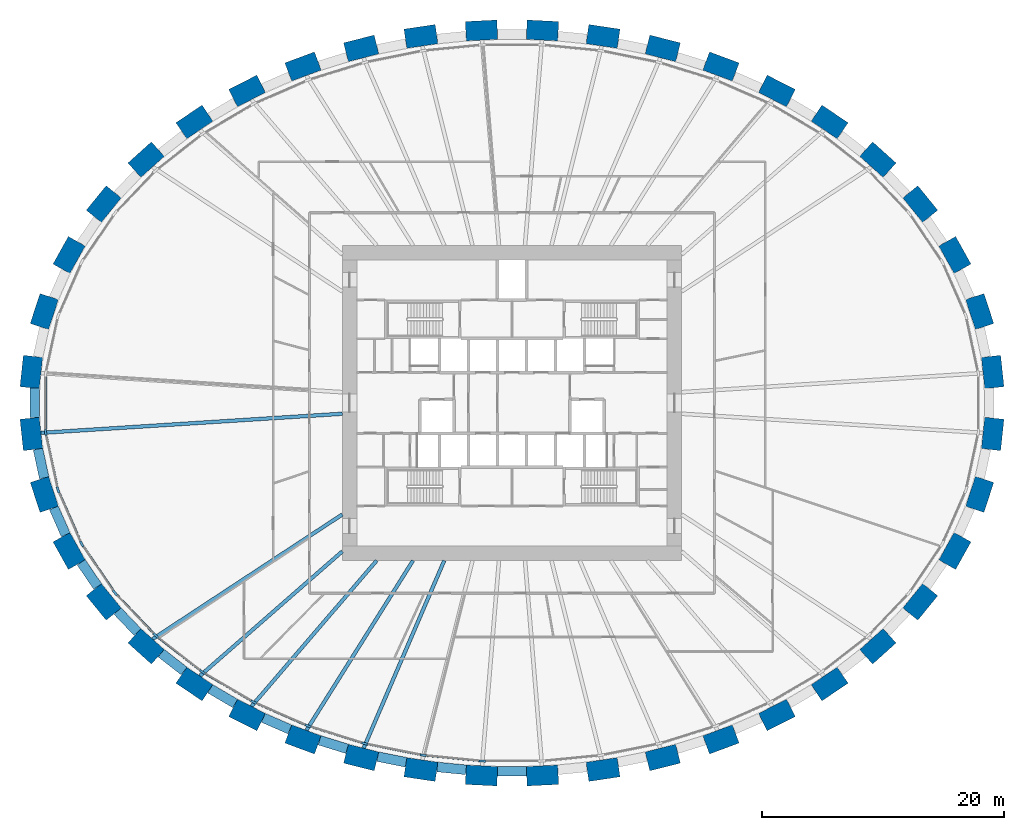
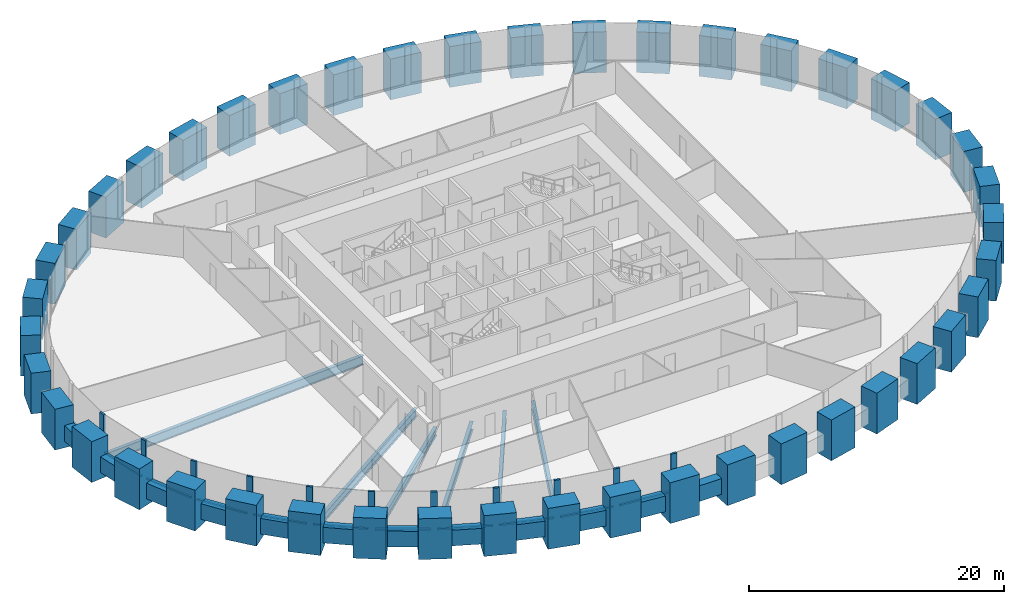
# One storey, part 1 of 11: 44 columns, 22 members, 18 beams, 1 element without a shape of its own.
"""IFC4 building model written with IfcOpenShell, lengths in metres."""

from ifc_helpers import new_model, si_unit, direction, frame, origin, origin_2d, place, context, subcontext, project, spatial, rectangle, i_section, extrude, source, transform, mapped, material, material_profile, profile_set, type_object, element, aggregate, save


model = new_model("IFC4")

# Units and contexts
model_context = context("Model", 3, precision=1e-05, world=origin(), true_north=direction((0.0, 1.0)))
body_context = subcontext(model_context, "Body", "Model", "MODEL_VIEW")
ifc_project = project(units=[si_unit("LENGTHUNIT", "METRE"), si_unit("AREAUNIT", "SQUARE_METRE"), si_unit("VOLUMEUNIT", "CUBIC_METRE"), si_unit("PLANEANGLEUNIT", "RADIAN"), si_unit("MASSUNIT", "GRAM", prefix="KILO")], contexts=[model_context])

# Site, building, storey
site_placement = place(None, origin())
site = spatial("IfcSite", under=ifc_project, at=site_placement, CompositionType="ELEMENT")
building_placement = place(site_placement, origin())
building = spatial("IfcBuilding", under=site, at=building_placement, Name="Embergate Tower", CompositionType="ELEMENT")
storey_placement = place(building_placement, frame((0.0, 0.0, 41.89990234375)))
storey = spatial("IfcBuildingStorey", under=building, at=storey_placement, Name="L06", CompositionType="ELEMENT", Elevation=41.89990234375)

# Columns
ifc_material_1 = material(Name="Concrete C70", Category="concrete")
ifc_material_profile_1 = material_profile(ifc_material_1, rectangle(XDim=1.60009765625, YDim=2.60009765625, at=origin_2d()), Name="RC 1600x2600")
ifc_profile_set_1 = profile_set([ifc_material_profile_1], Name="Concrete C70")
column_type = type_object("IfcColumnType", Name="Ring column RC 1600x2600 C70", PredefinedType="COLUMN", material=ifc_profile_set_1)
shared_shape_1 = source(origin(), body_context, "Body", "SweptSolid", [
    extrude(rectangle(XDim=1.60009765625, YDim=2.60009765625, at=origin_2d()), origin(), (0.0, 0.0, 1.0), 3.89990234375),
])
for number, where, z_axis, x_axis, name in (
    (1, (39.653076171875, 2.553955078125, -1.39990234375), (0.0, 0.0, 1.0), (0.99428589498, 0.106749983816, 0.0), "COL-L06-00"),
    (2, (38.580078125, 7.54296875, -1.39990234375), (0.0, 0.0, 1.0), (0.950754033697, 0.309946394413, 0.0), "COL-L06-01"),
    (3, (36.533935546875, 12.20703125, -1.39990234375), (0.0, 0.0, 1.0), (0.873491969053, 0.486838556403, 0.0), "COL-L06-02"),
    (4, (33.677978515625, 16.407958984375, -1.39990234375), (0.0, 0.0, 1.0), (0.775914301615, 0.630838328377, 0.0), "COL-L06-03"),
    (5, (30.18310546875, 20.072998046875, -1.39990234375), (0.0, 0.0, 1.0), (0.669208424634, 0.74307475021, 0.0), "COL-L06-04"),
    (6, (26.199951171875, 23.181884765625, -1.39990234375), (0.0, 0.0, 1.0), (0.560393279442, 0.828226643109, 0.0), "COL-L06-05"),
    (7, (21.85302734375, 25.738037109375, -1.39990234375), (0.0, 0.0, 1.0), (0.452994952881, 0.891513080478, 0.0), "COL-L06-06"),
    (8, (17.239013671875, 27.756103515625, -1.39990234375), (0.0, 0.0, 1.0), (0.348343015724, 0.93736713373, 0.0), "COL-L06-07"),
    (9, (12.43798828125, 29.2509765625, -1.39990234375), (0.0, 0.0, 1.0), (0.246491603437, 0.969144926951, 0.0), "COL-L06-08"),
    (10, (7.510009765625, 30.239013671875, -1.39990234375), (0.0, 0.0, 1.0), (0.146929011949, 0.989147039346, 0.0), "COL-L06-09"),
    (11, (2.510986328125, 30.73095703125, -1.39990234375), (0.0, 0.0, 1.0), (0.048814904854, 0.998807841912, 0.0), "COL-L06-10"),
    (12, (-2.510986328125, 30.73095703125, -1.39990234375), (0.0, 0.0, 1.0), (-0.048814904854, 0.998807841912, 0.0), "COL-L06-11"),
    (13, (-7.510009765625, 30.239013671875, -1.39990234375), (0.0, 0.0, 1.0), (-0.146929011949, 0.989147039346, 0.0), "COL-L06-12"),
    (14, (-12.43798828125, 29.2509765625, -1.39990234375), (0.0, 0.0, 1.0), (-0.246491603437, 0.969144926951, 0.0), "COL-L06-13"),
    (15, (-17.239013671875, 27.756103515625, -1.39990234375), (0.0, 0.0, 1.0), (-0.348343015724, 0.93736713373, 0.0), "COL-L06-14"),
    (16, (-21.85302734375, 25.738037109375, -1.39990234375), (0.0, 0.0, 1.0), (-0.452994952881, 0.891513080478, 0.0), "COL-L06-15"),
    (17, (-26.199951171875, 23.181884765625, -1.39990234375), (0.0, 0.0, 1.0), (-0.560393279442, 0.828226643109, 0.0), "COL-L06-16"),
    (18, (-30.18310546875, 20.072998046875, -1.39990234375), (0.0, 0.0, 1.0), (-0.669208424634, 0.74307475021, 0.0), "COL-L06-17"),
    (19, (-33.677978515625, 16.407958984375, -1.39990234375), (0.0, 0.0, 1.0), (-0.775914301615, 0.630838328377, 0.0), "COL-L06-18"),
    (20, (-36.533935546875, 12.20703125, -1.39990234375), (0.0, 0.0, 1.0), (-0.873491969053, 0.486838556403, 0.0), "COL-L06-19"),
    (21, (-38.580078125, 7.54296875, -1.39990234375), (0.0, 0.0, 1.0), (-0.950754033697, 0.309946394413, 0.0), "COL-L06-20"),
    (22, (-39.653076171875, 2.553955078125, -1.39990234375), (0.0, 0.0, 1.0), (-0.99428589498, 0.106749983816, 0.0), "COL-L06-21"),
    (23, (-39.653076171875, -2.553955078125, -1.39990234375), (0.0, 0.0, 1.0), (-0.99428589498, -0.106749983816, 0.0), "COL-L06-22"),
    (24, (-38.580078125, -7.54296875, -1.39990234375), (0.0, 0.0, 1.0), (-0.950754033697, -0.309946394413, 0.0), "COL-L06-23"),
    (25, (-36.533935546875, -12.20703125, -1.39990234375), (0.0, 0.0, 1.0), (-0.873491969053, -0.486838556403, 0.0), "COL-L06-24"),
    (26, (-33.677978515625, -16.407958984375, -1.39990234375), (0.0, 0.0, 1.0), (-0.775914301615, -0.630838328377, 0.0), "COL-L06-25"),
    (27, (-30.18310546875, -20.072998046875, -1.39990234375), (0.0, 0.0, 1.0), (-0.669208424634, -0.74307475021, 0.0), "COL-L06-26"),
    (28, (-26.199951171875, -23.181884765625, -1.39990234375), (0.0, 0.0, 1.0), (-0.560393279442, -0.828226643109, 0.0), "COL-L06-27"),
    (29, (-21.85302734375, -25.738037109375, -1.39990234375), (0.0, 0.0, 1.0), (-0.452994952881, -0.891513080478, 0.0), "COL-L06-28"),
    (30, (-17.239013671875, -27.756103515625, -1.39990234375), (0.0, 0.0, 1.0), (-0.348343015724, -0.93736713373, 0.0), "COL-L06-29"),
    (31, (-12.43798828125, -29.2509765625, -1.39990234375), (0.0, 0.0, 1.0), (-0.246491603437, -0.969144926951, 0.0), "COL-L06-30"),
    (32, (-7.510009765625, -30.239013671875, -1.39990234375), (0.0, 0.0, 1.0), (-0.146929011949, -0.989147039346, 0.0), "COL-L06-31"),
    (33, (-2.510986328125, -30.73095703125, -1.39990234375), (0.0, 0.0, 1.0), (-0.048814904854, -0.998807841912, 0.0), "COL-L06-32"),
    (34, (2.510986328125, -30.73095703125, -1.39990234375), (0.0, 0.0, 1.0), (0.048814904854, -0.998807841912, 0.0), "COL-L06-33"),
    (35, (7.510009765625, -30.239013671875, -1.39990234375), (0.0, 0.0, 1.0), (0.146929011949, -0.989147039346, 0.0), "COL-L06-34"),
    (36, (12.43798828125, -29.2509765625, -1.39990234375), (0.0, 0.0, 1.0), (0.246491603437, -0.969144926951, 0.0), "COL-L06-35"),
    (37, (17.239013671875, -27.756103515625, -1.39990234375), (0.0, 0.0, 1.0), (0.348343015724, -0.93736713373, 0.0), "COL-L06-36"),
    (38, (21.85302734375, -25.738037109375, -1.39990234375), (0.0, 0.0, 1.0), (0.452994952881, -0.891513080478, 0.0), "COL-L06-37"),
    (39, (26.199951171875, -23.181884765625, -1.39990234375), (0.0, 0.0, 1.0), (0.560393279442, -0.828226643109, 0.0), "COL-L06-38"),
    (40, (30.18310546875, -20.072998046875, -1.39990234375), (0.0, 0.0, 1.0), (0.669208424634, -0.74307475021, 0.0), "COL-L06-39"),
    (41, (33.677978515625, -16.407958984375, -1.39990234375), (0.0, 0.0, 1.0), (0.775914301615, -0.630838328377, 0.0), "COL-L06-40"),
    (42, (36.533935546875, -12.20703125, -1.39990234375), (0.0, 0.0, 1.0), (0.873491969053, -0.486838556403, 0.0), "COL-L06-41"),
    (43, (38.580078125, -7.54296875, -1.39990234375), (0.0, 0.0, 1.0), (0.950754033697, -0.309946394413, 0.0), "COL-L06-42"),
    (44, (39.653076171875, -2.553955078125, -1.39990234375), (0.0, 0.0, 1.0), (0.99428589498, -0.106749983816, 0.0), "COL-L06-43"),
):
    element("IfcColumn", number, at=place(storey_placement, frame(where, z_axis=z_axis, x_axis=x_axis)), inside=storey, type_object=column_type, Name=name, PredefinedType="COLUMN", context=body_context, shape_type="MappedRepresentation", body=[
        mapped(shared_shape_1, transform((0.0, 0.0, 0.0))),
    ])

# Beams
ifc_material_profile_2 = material_profile(ifc_material_1, rectangle(XDim=0.800048828125, YDim=1.5, at=origin_2d()), Name="RC 800x1500")
ifc_profile_set_2 = profile_set([ifc_material_profile_2], Name="Concrete C70")
beam_type_1 = type_object("IfcBeamType", Name="Spandrel beam RC 800x1500 C70", PredefinedType="BEAM", material=ifc_profile_set_2)
shared_shape_2 = source(origin(), body_context, "Body", "SweptSolid", [
    extrude(rectangle(XDim=0.800048828125, YDim=1.5, at=origin_2d()), origin(), (0.0, 0.0, 1.0), 2.431396484375),
])
beam_1_placement = place(storey_placement, frame((-39.10302734375, -3.802001953125, 0.0), z_axis=(0.210557552213, -0.977581463207, 0.0), x_axis=(0.977581463207, 0.210557552213, 0.0)))
element("IfcBeam", 45, at=beam_1_placement, inside=storey, type_object=beam_type_1, Name="SPN-L06-22", PredefinedType="BEAM", context=body_context, shape_type="MappedRepresentation", body=[
    mapped(shared_shape_2, transform((0.0, 0.0, 0.0))),
])
shared_shape_3 = source(origin(), body_context, "Body", "SweptSolid", [
    extrude(rectangle(XDim=0.800048828125, YDim=1.5, at=origin_2d()), origin(), (0.0, 0.0, 1.0), 2.42724609375),
])
beam_2_placement = place(storey_placement, frame((-37.791015625, -8.653076171875, 0.0), z_axis=(0.401710329843, -0.915766788488, 0.0), x_axis=(0.915766788488, 0.401710329843, 0.0)))
element("IfcBeam", 46, at=beam_2_placement, inside=storey, type_object=beam_type_1, Name="SPN-L06-23", PredefinedType="BEAM", context=body_context, shape_type="MappedRepresentation", body=[
    mapped(shared_shape_3, transform((0.0, 0.0, 0.0))),
])
shared_shape_4 = source(origin(), body_context, "Body", "SweptSolid", [
    extrude(rectangle(XDim=0.800048828125, YDim=1.5, at=origin_2d()), origin(), (0.0, 0.0, 1.0), 2.418701171875),
])
beam_3_placement = place(storey_placement, frame((-35.5400390625, -13.14111328125, 0.0), z_axis=(0.562340391575, -0.82690584954, 0.0), x_axis=(0.82690584954, 0.562340391575, 0.0)))
element("IfcBeam", 47, at=beam_3_placement, inside=storey, type_object=beam_type_1, Name="SPN-L06-24", PredefinedType="BEAM", context=body_context, shape_type="MappedRepresentation", body=[
    mapped(shared_shape_4, transform((0.0, 0.0, 0.0))),
])
shared_shape_5 = source(origin(), body_context, "Body", "SweptSolid", [
    extrude(rectangle(XDim=0.800048828125, YDim=1.5, at=origin_2d()), origin(), (0.0, 0.0, 1.0), 2.410400390625),
])
beam_4_placement = place(storey_placement, frame((-32.5458984375, -17.1630859375, 0.0), z_axis=(0.68988529803, -0.723918694027, 0.0), x_axis=(0.723918694027, 0.68988529803, 0.0)))
element("IfcBeam", 48, at=beam_4_placement, inside=storey, type_object=beam_type_1, Name="SPN-L06-25", PredefinedType="BEAM", context=body_context, shape_type="MappedRepresentation", body=[
    mapped(shared_shape_5, transform((0.0, 0.0, 0.0))),
])
shared_shape_6 = source(origin(), body_context, "Body", "SweptSolid", [
    extrude(rectangle(XDim=0.800048828125, YDim=1.5, at=origin_2d()), origin(), (0.0, 0.0, 1.0), 2.40234375),
])
beam_5_placement = place(storey_placement, frame((-28.94189453125, -20.637939453125, 0.0), z_axis=(0.788327805862, -0.615255451423, 0.0), x_axis=(0.615255451423, 0.788327805862, 0.0)))
element("IfcBeam", 49, at=beam_5_placement, inside=storey, type_object=beam_type_1, Name="SPN-L06-26", PredefinedType="BEAM", context=body_context, shape_type="MappedRepresentation", body=[
    mapped(shared_shape_6, transform((0.0, 0.0, 0.0))),
])
shared_shape_7 = source(origin(), body_context, "Body", "SweptSolid", [
    extrude(rectangle(XDim=0.800048828125, YDim=1.5, at=origin_2d()), origin(), (0.0, 0.0, 1.0), 2.397705078125),
])
beam_6_placement = place(storey_placement, frame((-24.89794921875, -23.577880859375, 0.0), z_axis=(0.86206768602, -0.506793157728, 0.0), x_axis=(0.506793157728, 0.86206768602, 0.0)))
element("IfcBeam", 50, at=beam_6_placement, inside=storey, type_object=beam_type_1, Name="SPN-L06-27", PredefinedType="BEAM", context=body_context, shape_type="MappedRepresentation", body=[
    mapped(shared_shape_7, transform((0.0, 0.0, 0.0))),
])
shared_shape_8 = source(origin(), body_context, "Body", "SweptSolid", [
    extrude(rectangle(XDim=0.800048828125, YDim=1.5, at=origin_2d()), origin(), (0.0, 0.0, 1.0), 2.394775390625),
])
beam_7_placement = place(storey_placement, frame((-20.514892578125, -25.97509765625, 0.0), z_axis=(0.916133934694, -0.40087231596, 0.0), x_axis=(0.40087231596, 0.916133934694, 0.0)))
element("IfcBeam", 51, at=beam_7_placement, inside=storey, type_object=beam_type_1, Name="SPN-L06-28", PredefinedType="BEAM", context=body_context, shape_type="MappedRepresentation", body=[
    mapped(shared_shape_8, transform((0.0, 0.0, 0.0))),
])
shared_shape_9 = source(origin(), body_context, "Body", "SweptSolid", [
    extrude(rectangle(XDim=0.800048828125, YDim=1.5, at=origin_2d()), origin(), (0.0, 0.0, 1.0), 2.388916015625),
])
beam_8_placement = place(storey_placement, frame((-15.8779296875, -27.824951171875, 0.0), z_axis=(0.954819405725, -0.297186645815, 0.0), x_axis=(0.297186645815, 0.954819405725, 0.0)))
element("IfcBeam", 52, at=beam_8_placement, inside=storey, type_object=beam_type_1, Name="SPN-L06-29", PredefinedType="BEAM", context=body_context, shape_type="MappedRepresentation", body=[
    mapped(shared_shape_9, transform((0.0, 0.0, 0.0))),
])
shared_shape_10 = source(origin(), body_context, "Body", "SweptSolid", [
    extrude(rectangle(XDim=0.800048828125, YDim=1.5, at=origin_2d()), origin(), (0.0, 0.0, 1.0), 2.38818359375),
])
beam_9_placement = place(storey_placement, frame((-11.077880859375, -29.177978515625, 0.0), z_axis=(0.980529530549, -0.196371687676, 0.0), x_axis=(0.196371687676, 0.980529530549, 0.0)))
element("IfcBeam", 53, at=beam_9_placement, inside=storey, type_object=beam_type_1, Name="SPN-L06-30", PredefinedType="BEAM", context=body_context, shape_type="MappedRepresentation", body=[
    mapped(shared_shape_10, transform((0.0, 0.0, 0.0))),
])
shared_shape_11 = source(origin(), body_context, "Body", "SweptSolid", [
    extrude(rectangle(XDim=0.800048828125, YDim=1.5, at=origin_2d()), origin(), (0.0, 0.0, 1.0), 2.386474609375),
])
beam_10_placement = place(storey_placement, frame((-6.1650390625, -30.031005859375, 0.0), z_axis=(0.995225797629, -0.097599240434, 0.0), x_axis=(0.097599240434, 0.995225797629, 0.0)))
element("IfcBeam", 54, at=beam_10_placement, inside=storey, type_object=beam_type_1, Name="SPN-L06-31", PredefinedType="BEAM", context=body_context, shape_type="MappedRepresentation", body=[
    mapped(shared_shape_11, transform((0.0, 0.0, 0.0))),
])
shared_shape_12 = source(origin(), body_context, "Body", "SweptSolid", [
    extrude(rectangle(XDim=0.800048828125, YDim=1.5, at=origin_2d()), origin(), (0.0, 0.0, 1.0), 2.38623046875),
])
beam_11_placement = place(storey_placement, frame((-1.193115234375, -30.39208984375, 0.0), z_axis=(1.0, 0.0, 0.0), x_axis=(0.0, 1.0, 0.0)))
element("IfcBeam", 55, at=beam_11_placement, inside=storey, type_object=beam_type_1, Name="SPN-L06-32", PredefinedType="BEAM", context=body_context, shape_type="MappedRepresentation", body=[
    mapped(shared_shape_12, transform((0.0, 0.0, 0.0))),
])
shared_shape_13 = source(origin(), body_context, "Body", "SweptSolid", [
    extrude(rectangle(XDim=0.800048828125, YDim=1.5, at=origin_2d()), origin(), (0.0, 0.0, 1.0), 2.43408203125),
])
beam_12_placement = place(storey_placement, frame((-39.3779296875, 1.217041015625, 0.0), z_axis=(0.0, -1.0, 0.0), x_axis=(1.0, 0.0, 0.0)))
element("IfcBeam", 56, at=beam_12_placement, inside=storey, type_object=beam_type_1, Name="SPN-L06-21", PredefinedType="BEAM", context=body_context, shape_type="MappedRepresentation", body=[
    mapped(shared_shape_13, transform((0.0, 0.0, 0.0))),
])
ifc_material_2 = material(Name="Steel Q355B", Category="steel")
ifc_material_profile_3 = material_profile(ifc_material_2, i_section(OverallWidth=0.300048828125, OverallDepth=0.89990234375, WebThickness=0.01611328125, FlangeThickness=0.028076171875, FilletRadius=0.028076171875, at=origin_2d()), Name="HN 900x300x16x28")
ifc_profile_set_3 = profile_set([ifc_material_profile_3], Name="Steel Q355 grade B")
beam_type_2 = type_object("IfcBeamType", Name="Radial girder HN 900x300x16x28", PredefinedType="BEAM", material=ifc_profile_set_3)
shared_shape_14 = source(origin(), body_context, "Body", "SweptSolid", [
    extrude(i_section(OverallWidth=0.300048828125, OverallDepth=0.89990234375, WebThickness=0.01611328125, FlangeThickness=0.028076171875, FilletRadius=0.028076171875, at=origin_2d()), origin(), (0.0, 0.0, 1.0), 24.907958984375),
])
beam_13_placement = place(storey_placement, frame((-38.85791015625, -2.468994140625, -0.64990234375), z_axis=(0.997985884947, 0.063436373209, 0.0), x_axis=(-0.063436373209, 0.997985884947, 0.0)))
element("IfcBeam", 57, at=beam_13_placement, inside=storey, type_object=beam_type_2, Name="GIR-L06-22", PredefinedType="BEAM", context=body_context, shape_type="MappedRepresentation", body=[
    mapped(shared_shape_14, transform((0.0, 0.0, 0.0))),
])
ifc_material_profile_4 = material_profile(ifc_material_2, i_section(OverallWidth=0.300048828125, OverallDepth=0.800048828125, WebThickness=0.013916015625, FlangeThickness=0.02587890625, FilletRadius=0.028076171875, at=origin_2d()), Name="HN 800x300x14x26")
ifc_profile_set_4 = profile_set([ifc_material_profile_4], Name="Steel Q355 grade B")
beam_type_3 = type_object("IfcBeamType", Name="Radial girder HN 800x300x14x26", PredefinedType="BEAM", material=ifc_profile_set_4)
shared_shape_15 = source(origin(), body_context, "Body", "SweptSolid", [
    extrude(i_section(OverallWidth=0.300048828125, OverallDepth=0.800048828125, WebThickness=0.013916015625, FlangeThickness=0.02587890625, FilletRadius=0.028076171875, at=origin_2d()), origin(), (0.0, 0.0, 1.0), 18.72314453125),
])
beam_14_placement = place(storey_placement, frame((-29.64794921875, -19.47900390625, -0.599853515625), z_axis=(0.835752839517, 0.549105810605, 0.0), x_axis=(-0.549105810605, 0.835752839517, 0.0)))
element("IfcBeam", 58, at=beam_14_placement, inside=storey, type_object=beam_type_3, Name="GIR-L06-26", PredefinedType="BEAM", context=body_context, shape_type="MappedRepresentation", body=[
    mapped(shared_shape_15, transform((0.0, 0.0, 0.0))),
])
shared_shape_16 = source(origin(), body_context, "Body", "SweptSolid", [
    extrude(i_section(OverallWidth=0.300048828125, OverallDepth=0.800048828125, WebThickness=0.013916015625, FlangeThickness=0.02587890625, FilletRadius=0.028076171875, at=origin_2d()), origin(), (0.0, 0.0, 1.0), 15.611083984375),
])
beam_15_placement = place(storey_placement, frame((-25.751953125, -22.51904296875, -0.599853515625), z_axis=(0.752793660755, 0.658256564211, 0.0), x_axis=(-0.658256564211, 0.752793660755, 0.0)))
element("IfcBeam", 59, at=beam_15_placement, inside=storey, type_object=beam_type_3, Name="GIR-L06-27", PredefinedType="BEAM", context=body_context, shape_type="MappedRepresentation", body=[
    mapped(shared_shape_16, transform((0.0, 0.0, 0.0))),
])
shared_shape_17 = source(origin(), body_context, "Body", "SweptSolid", [
    extrude(i_section(OverallWidth=0.300048828125, OverallDepth=0.800048828125, WebThickness=0.013916015625, FlangeThickness=0.02587890625, FilletRadius=0.028076171875, at=origin_2d()), origin(), (0.0, 0.0, 1.0), 15.8505859375),
])
beam_16_placement = place(storey_placement, frame((-21.490966796875, -25.02490234375, -0.599853515625), z_axis=(0.651512825192, 0.758637620086, 0.0), x_axis=(-0.758637620086, 0.651512825192, 0.0)))
element("IfcBeam", 60, at=beam_16_placement, inside=storey, type_object=beam_type_3, Name="GIR-L06-28", PredefinedType="BEAM", context=body_context, shape_type="MappedRepresentation", body=[
    mapped(shared_shape_17, transform((0.0, 0.0, 0.0))),
])
shared_shape_18 = source(origin(), body_context, "Body", "SweptSolid", [
    extrude(i_section(OverallWidth=0.300048828125, OverallDepth=0.800048828125, WebThickness=0.013916015625, FlangeThickness=0.02587890625, FilletRadius=0.028076171875, at=origin_2d()), origin(), (0.0, 0.0, 1.0), 16.5390625),
])
beam_17_placement = place(storey_placement, frame((-16.9599609375, -27.006103515625, -0.599853515625), z_axis=(0.53182746927, 0.846852728005, 0.0), x_axis=(-0.846852728005, 0.53182746927, 0.0)))
element("IfcBeam", 61, at=beam_17_placement, inside=storey, type_object=beam_type_3, Name="GIR-L06-29", PredefinedType="BEAM", context=body_context, shape_type="MappedRepresentation", body=[
    mapped(shared_shape_18, transform((0.0, 0.0, 0.0))),
])
shared_shape_19 = source(origin(), body_context, "Body", "SweptSolid", [
    extrude(i_section(OverallWidth=0.300048828125, OverallDepth=0.800048828125, WebThickness=0.013916015625, FlangeThickness=0.02587890625, FilletRadius=0.028076171875, at=origin_2d()), origin(), (0.0, 0.0, 1.0), 16.845458984375),
])
beam_18_placement = place(storey_placement, frame((-12.240966796875, -28.47607421875, -0.599853515625), z_axis=(0.394945799239, 0.91870442236, 0.0), x_axis=(-0.91870442236, 0.394945799239, 0.0)))
element("IfcBeam", 62, at=beam_18_placement, inside=storey, type_object=beam_type_3, Name="GIR-L06-30", PredefinedType="BEAM", context=body_context, shape_type="MappedRepresentation", body=[
    mapped(shared_shape_19, transform((0.0, 0.0, 0.0))),
])

# Curtain wall, members
ifc_material_3 = material(Name="Aluminium and glass", Category="aluminium")
curtain_wall_type = type_object("IfcCurtainWallType", Name="Recessed office glazing", PredefinedType="NOTDEFINED", material=ifc_material_3)
curtain_wall_placement = place(storey_placement, origin())
curtain_wall = element("IfcCurtainWall", 63, at=curtain_wall_placement, inside=storey, type_object=curtain_wall_type, Name="Recessed office glazing ring", ObjectType="RECESSED OFFICE GLAZING", PredefinedType="USERDEFINED")
ifc_material_4 = material(Name="Aluminium, thermally broken", Category="aluminium")
ifc_material_profile_5 = material_profile(ifc_material_4, rectangle(XDim=0.179931640625, YDim=0.14990234375, at=origin_2d()), Name="AL 150x180")
ifc_profile_set_5 = profile_set([ifc_material_profile_5], Name="Aluminium, thermally broken")
member_type_1 = type_object("IfcMemberType", Name="Office sill transom", PredefinedType="USERDEFINED", material=ifc_profile_set_5)
shared_shape_20 = source(origin(), body_context, "Body", "SweptSolid", [
    extrude(rectangle(XDim=0.179931640625, YDim=0.14990234375, at=origin_2d()), origin(), (0.0, 0.0, 1.0), 4.33642578125),
])
member_1_placement = place(storey_placement, frame((-38.415283203125, -2.680908203125, 0.0751953125), z_axis=(0.210397968538, -0.977615821699, 0.0), x_axis=(0.977615821699, 0.210397968538, 0.0)))
member_1 = element("IfcMember", 64, at=member_1_placement, type_object=member_type_1, Name="CW transom 23.1", ObjectType="TRANSOM", PredefinedType="USERDEFINED", context=body_context, shape_type="MappedRepresentation", body=[
    mapped(shared_shape_20, transform((0.0, 0.0, 0.0))),
])
shared_shape_21 = source(origin(), body_context, "Body", "SweptSolid", [
    extrude(rectangle(XDim=0.179931640625, YDim=0.14990234375, at=origin_2d()), origin(), (0.0, 0.0, 1.0), 4.34326171875),
])
member_2_placement = place(storey_placement, frame((-37.34375, -7.412353515625, 0.0751953125), z_axis=(0.401632547459, -0.915800904576, 0.0), x_axis=(0.915800904576, 0.401632547459, 0.0)))
member_2 = element("IfcMember", 65, at=member_2_placement, type_object=member_type_1, Name="CW transom 24.1", ObjectType="TRANSOM", PredefinedType="USERDEFINED", context=body_context, shape_type="MappedRepresentation", body=[
    mapped(shared_shape_21, transform((0.0, 0.0, 0.0))),
])
shared_shape_22 = source(origin(), body_context, "Body", "SweptSolid", [
    extrude(rectangle(XDim=0.179931640625, YDim=0.14990234375, at=origin_2d()), origin(), (0.0, 0.0, 1.0), 4.352294921875),
])
member_3_placement = place(storey_placement, frame((-35.3486328125, -11.843017578125, 0.0751953125), z_axis=(0.562352981855, -0.826897287333, 0.0), x_axis=(0.826897287333, 0.562352981855, 0.0)))
member_3 = element("IfcMember", 66, at=member_3_placement, type_object=member_type_1, Name="CW transom 25.1", ObjectType="TRANSOM", PredefinedType="USERDEFINED", context=body_context, shape_type="MappedRepresentation", body=[
    mapped(shared_shape_22, transform((0.0, 0.0, 0.0))),
])
shared_shape_23 = source(origin(), body_context, "Body", "SweptSolid", [
    extrude(rectangle(XDim=0.179931640625, YDim=0.14990234375, at=origin_2d()), origin(), (0.0, 0.0, 1.0), 4.361083984375),
])
member_4_placement = place(storey_placement, frame((-32.57568359375, -15.844970703125, 0.0751953125), z_axis=(0.690141477818, -0.723674471427, 0.0), x_axis=(0.723674471427, 0.690141477818, 0.0)))
member_4 = element("IfcMember", 67, at=member_4_placement, type_object=member_type_1, Name="CW transom 26.1", ObjectType="TRANSOM", PredefinedType="USERDEFINED", context=body_context, shape_type="MappedRepresentation", body=[
    mapped(shared_shape_23, transform((0.0, 0.0, 0.0))),
])
shared_shape_24 = source(origin(), body_context, "Body", "SweptSolid", [
    extrude(rectangle(XDim=0.179931640625, YDim=0.14990234375, at=origin_2d()), origin(), (0.0, 0.0, 1.0), 4.368408203125),
])
member_5_placement = place(storey_placement, frame((-29.181396484375, -19.34912109375, 0.0751953125), z_axis=(0.788309833008, -0.615278479375, 0.0), x_axis=(0.615278479375, 0.788309833008, 0.0)))
member_5 = element("IfcMember", 68, at=member_5_placement, type_object=member_type_1, Name="CW transom 27.1", ObjectType="TRANSOM", PredefinedType="USERDEFINED", context=body_context, shape_type="MappedRepresentation", body=[
    mapped(shared_shape_24, transform((0.0, 0.0, 0.0))),
])
shared_shape_25 = source(origin(), body_context, "Body", "SweptSolid", [
    extrude(rectangle(XDim=0.179931640625, YDim=0.14990234375, at=origin_2d()), origin(), (0.0, 0.0, 1.0), 4.37451171875),
])
member_6_placement = place(storey_placement, frame((-25.30859375, -22.32861328125, 0.0751953125), z_axis=(0.862053273507, -0.506817672971, 0.0), x_axis=(0.506817672971, 0.862053273507, 0.0)))
member_6 = element("IfcMember", 69, at=member_6_placement, type_object=member_type_1, Name="CW transom 28.1", ObjectType="TRANSOM", PredefinedType="USERDEFINED", context=body_context, shape_type="MappedRepresentation", body=[
    mapped(shared_shape_25, transform((0.0, 0.0, 0.0))),
])
shared_shape_26 = source(origin(), body_context, "Body", "SweptSolid", [
    extrude(rectangle(XDim=0.179931640625, YDim=0.14990234375, at=origin_2d()), origin(), (0.0, 0.0, 1.0), 4.37890625),
])
member_7_placement = place(storey_placement, frame((-21.0751953125, -24.781494140625, 0.0751953125), z_axis=(0.916236650028, -0.400637493434, 0.0), x_axis=(0.400637493434, 0.916236650028, 0.0)))
member_7 = element("IfcMember", 70, at=member_7_placement, type_object=member_type_1, Name="CW transom 29.1", ObjectType="TRANSOM", PredefinedType="USERDEFINED", context=body_context, shape_type="MappedRepresentation", body=[
    mapped(shared_shape_26, transform((0.0, 0.0, 0.0))),
])
shared_shape_27 = source(origin(), body_context, "Body", "SweptSolid", [
    extrude(rectangle(XDim=0.179931640625, YDim=0.14990234375, at=origin_2d()), origin(), (0.0, 0.0, 1.0), 4.38232421875),
])
member_8_placement = place(storey_placement, frame((-16.57666015625, -26.71728515625, 0.0751953125), z_axis=(0.954759100468, -0.297380328994, 0.0), x_axis=(0.297380328994, 0.954759100468, 0.0)))
member_8 = element("IfcMember", 71, at=member_8_placement, type_object=member_type_1, Name="CW transom 30.1", ObjectType="TRANSOM", PredefinedType="USERDEFINED", context=body_context, shape_type="MappedRepresentation", body=[
    mapped(shared_shape_27, transform((0.0, 0.0, 0.0))),
])
shared_shape_28 = source(origin(), body_context, "Body", "SweptSolid", [
    extrude(rectangle(XDim=0.179931640625, YDim=0.14990234375, at=origin_2d()), origin(), (0.0, 0.0, 1.0), 4.384765625),
])
member_9_placement = place(storey_placement, frame((-11.889404296875, -28.14892578125, 0.0751953125), z_axis=(0.980482039913, -0.196608670733, 0.0), x_axis=(0.196608670733, 0.980482039913, 0.0)))
member_9 = element("IfcMember", 72, at=member_9_placement, type_object=member_type_1, Name="CW transom 31.1", ObjectType="TRANSOM", PredefinedType="USERDEFINED", context=body_context, shape_type="MappedRepresentation", body=[
    mapped(shared_shape_28, transform((0.0, 0.0, 0.0))),
])
shared_shape_29 = source(origin(), body_context, "Body", "SweptSolid", [
    extrude(rectangle(XDim=0.179931640625, YDim=0.14990234375, at=origin_2d()), origin(), (0.0, 0.0, 1.0), 4.3857421875),
])
member_10_placement = place(storey_placement, frame((-7.07666015625, -29.087646484375, 0.0751953125), z_axis=(0.995205497416, -0.097806021868, 0.0), x_axis=(0.097806021868, 0.995205497416, 0.0)))
member_10 = element("IfcMember", 73, at=member_10_placement, type_object=member_type_1, Name="CW transom 32.1", ObjectType="TRANSOM", PredefinedType="USERDEFINED", context=body_context, shape_type="MappedRepresentation", body=[
    mapped(shared_shape_29, transform((0.0, 0.0, 0.0))),
])
shared_shape_30 = source(origin(), body_context, "Body", "SweptSolid", [
    extrude(rectangle(XDim=0.179931640625, YDim=0.14990234375, at=origin_2d()), origin(), (0.0, 0.0, 1.0), 4.33349609375),
])
member_11_placement = place(storey_placement, frame((-38.469970703125, 2.166748046875, 0.0751953125), z_axis=(0.0, -1.0, 0.0), x_axis=(1.0, 0.0, 0.0)))
member_11 = element("IfcMember", 74, at=member_11_placement, type_object=member_type_1, Name="CW transom 22.1", ObjectType="TRANSOM", PredefinedType="USERDEFINED", context=body_context, shape_type="MappedRepresentation", body=[
    mapped(shared_shape_30, transform((0.0, 0.0, 0.0))),
])
ifc_material_profile_6 = material_profile(ifc_material_4, rectangle(XDim=0.179931640625, YDim=0.52001953125, at=origin_2d()), Name="AL 520x180")
ifc_profile_set_6 = profile_set([ifc_material_profile_6], Name="Aluminium, thermally broken")
member_type_2 = type_object("IfcMemberType", Name="Office mullion", PredefinedType="MULLION", material=ifc_profile_set_6)
shared_shape_31 = source(origin(), body_context, "Body", "SweptSolid", [
    extrude(rectangle(XDim=0.179931640625, YDim=0.52001953125, at=origin_2d()), origin(), (0.0, 0.0, 1.0), 3.7001953125),
])
member_12_placement = place(storey_placement, frame((-38.469970703125, -2.4267578125, 0.0), z_axis=(0.0, 0.0, 1.0), x_axis=(0.994384954736, 0.105823257345, 0.0)))
member_12 = element("IfcMember", 75, at=member_12_placement, type_object=member_type_2, Name="CW mullion 23", PredefinedType="MULLION", context=body_context, shape_type="MappedRepresentation", body=[
    mapped(shared_shape_31, transform((0.0, 0.0, 0.0))),
])
member_13_placement = place(storey_placement, frame((-37.4482421875, -7.17431640625, 0.0), z_axis=(0.0, 0.0, 1.0), x_axis=(0.951498871907, 0.307652233471, 0.0)))
member_13 = element("IfcMember", 76, at=member_13_placement, type_object=member_type_2, Name="CW mullion 24", PredefinedType="MULLION", context=body_context, shape_type="MappedRepresentation", body=[
    mapped(shared_shape_31, transform((0.0, 0.0, 0.0))),
])
member_14_placement = place(storey_placement, frame((-35.494873046875, -11.628173828125, 0.0), z_axis=(0.0, 0.0, 1.0), x_axis=(0.875002740779, 0.484117964581, 0.0)))
member_14 = element("IfcMember", 77, at=member_14_placement, type_object=member_type_2, Name="CW mullion 25", PredefinedType="MULLION", context=body_context, shape_type="MappedRepresentation", body=[
    mapped(shared_shape_31, transform((0.0, 0.0, 0.0))),
])
member_15_placement = place(storey_placement, frame((-32.7548828125, -15.656982421875, 0.0), z_axis=(0.0, 0.0, 1.0), x_axis=(0.777873661157, 0.62842069291, 0.0)))
member_15 = element("IfcMember", 78, at=member_15_placement, type_object=member_type_2, Name="CW mullion 26", PredefinedType="MULLION", context=body_context, shape_type="MappedRepresentation", body=[
    mapped(shared_shape_31, transform((0.0, 0.0, 0.0))),
])
member_16_placement = place(storey_placement, frame((-29.386474609375, -19.189208984375, 0.0), z_axis=(0.0, 0.0, 1.0), x_axis=(0.671226533956, 0.741252278319, 0.0)))
member_16 = element("IfcMember", 79, at=member_16_placement, type_object=member_type_2, Name="CW mullion 27", PredefinedType="MULLION", context=body_context, shape_type="MappedRepresentation", body=[
    mapped(shared_shape_31, transform((0.0, 0.0, 0.0))),
])
member_17_placement = place(storey_placement, frame((-25.53271484375, -22.19677734375, 0.0), z_axis=(0.0, 0.0, 1.0), x_axis=(0.562216175174, 0.826990309721, 0.0)))
member_17 = element("IfcMember", 80, at=member_17_placement, type_object=member_type_2, Name="CW mullion 28", PredefinedType="MULLION", context=body_context, shape_type="MappedRepresentation", body=[
    mapped(shared_shape_31, transform((0.0, 0.0, 0.0))),
])
member_18_placement = place(storey_placement, frame((-21.3134765625, -24.677490234375, 0.0), z_axis=(0.0, 0.0, 1.0), x_axis=(0.454509825889, 0.890741723605, 0.0)))
member_18 = element("IfcMember", 81, at=member_18_placement, type_object=member_type_2, Name="CW mullion 29", PredefinedType="MULLION", context=body_context, shape_type="MappedRepresentation", body=[
    mapped(shared_shape_31, transform((0.0, 0.0, 0.0))),
])
member_19_placement = place(storey_placement, frame((-16.824951171875, -26.64013671875, 0.0), z_axis=(0.0, 0.0, 1.0), x_axis=(0.349501047589, 0.936935973124, 0.0)))
member_19 = element("IfcMember", 82, at=member_19_placement, type_object=member_type_2, Name="CW mullion 30", PredefinedType="MULLION", context=body_context, shape_type="MappedRepresentation", body=[
    mapped(shared_shape_31, transform((0.0, 0.0, 0.0))),
])
member_20_placement = place(storey_placement, frame((-12.144287109375, -28.097900390625, 0.0), z_axis=(0.0, 0.0, 1.0), x_axis=(0.247310190257, 0.968936360034, 0.0)))
member_20 = element("IfcMember", 83, at=member_20_placement, type_object=member_type_2, Name="CW mullion 31", PredefinedType="MULLION", context=body_context, shape_type="MappedRepresentation", body=[
    mapped(shared_shape_31, transform((0.0, 0.0, 0.0))),
])
member_21_placement = place(storey_placement, frame((-7.33544921875, -29.062255859375, 0.0), z_axis=(0.0, 0.0, 1.0), x_axis=(0.147410656556, 0.989075375456, 0.0)))
member_21 = element("IfcMember", 84, at=member_21_placement, type_object=member_type_2, Name="CW mullion 32", PredefinedType="MULLION", context=body_context, shape_type="MappedRepresentation", body=[
    mapped(shared_shape_31, transform((0.0, 0.0, 0.0))),
])
member_22_placement = place(storey_placement, frame((-2.453125, -29.5419921875, 0.0), z_axis=(0.0, 0.0, 1.0), x_axis=(0.048971796621, 0.998800161762, 0.0)))
member_22 = element("IfcMember", 85, at=member_22_placement, type_object=member_type_2, Name="CW mullion 33", PredefinedType="MULLION", context=body_context, shape_type="MappedRepresentation", body=[
    mapped(shared_shape_31, transform((0.0, 0.0, 0.0))),
])
aggregate(curtain_wall, [member_12, member_13, member_14, member_15, member_16, member_17, member_18, member_19, member_20, member_21, member_22, member_11, member_1, member_2, member_3, member_4, member_5, member_6, member_7, member_8, member_9, member_10])

save(model, "model.ifc")
